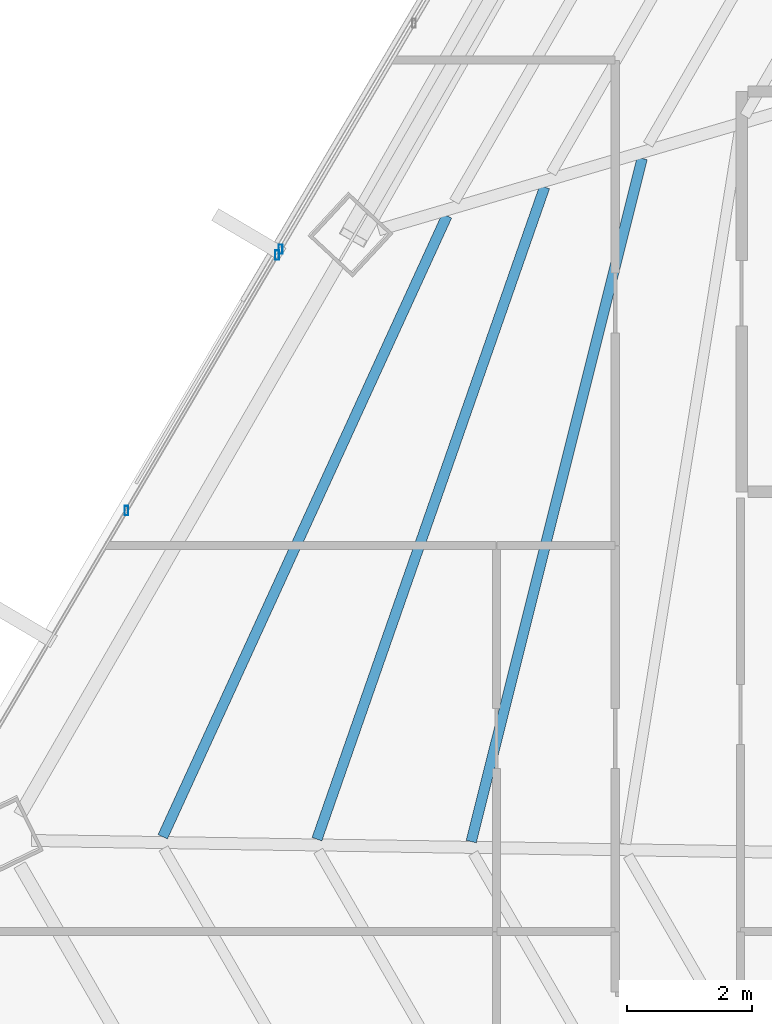
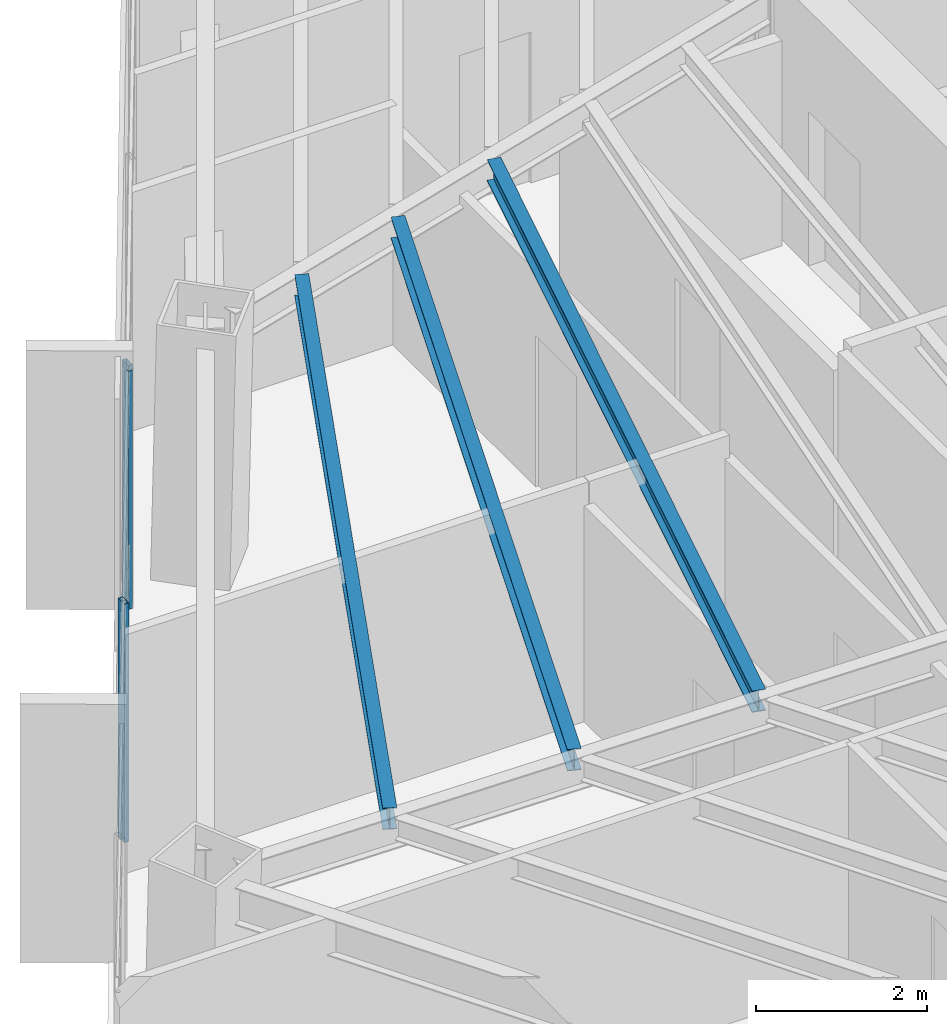
# One storey, part 11 of 40: 3 beams, 3 members, 2 elements without a shape of their own.
"""IFC4 building model written with IfcOpenShell, lengths in metres."""

from ifc_helpers import new_model, si_unit, direction, frame, origin, origin_2d, place, context, subcontext, project, spatial, hollow_rectangle, i_section, extrude, source, transform, mapped, material, material_profile, profile_set, type_object, type_shapes, element, aggregate, save


model = new_model("IFC4")

# Units and contexts
model_context = context("Model", 3, precision=1e-05, world=origin(), true_north=direction((0.0, 1.0)))
body_context = subcontext(model_context, "Body", "Model", "MODEL_VIEW")
ifc_project = project(units=[si_unit("LENGTHUNIT", "METRE"), si_unit("AREAUNIT", "SQUARE_METRE"), si_unit("VOLUMEUNIT", "CUBIC_METRE"), si_unit("PLANEANGLEUNIT", "RADIAN"), si_unit("MASSUNIT", "GRAM", prefix="KILO")], contexts=[model_context])

# Site, building, storey
site_placement = place(None, origin())
site = spatial("IfcSite", under=ifc_project, at=site_placement, CompositionType="ELEMENT")
building_placement = place(site_placement, origin())
building = spatial("IfcBuilding", under=site, at=building_placement, Name="Caelisora Broadcast Tower", CompositionType="ELEMENT")
storey_placement = place(building_placement, frame((0.0, 0.0, 176.75)))
storey = spatial("IfcBuildingStorey", under=building, at=storey_placement, Name="L46", CompositionType="ELEMENT", Elevation=176.75)

# Beams
ifc_material_1 = material(Name="Steel Grade 350 (AS/NZS 3679.1)", Category="steel")
ifc_material_profile_1 = material_profile(ifc_material_1, i_section(OverallWidth=0.166015625, OverallDepth=0.30712890625, WebThickness=0.006591796875, FlangeThickness=0.01171875, at=origin_2d()), Name="Steel Grade 350 (AS/NZS 3679.1)")
ifc_profile_set_1 = profile_set([ifc_material_profile_1], Name="Steel Grade 350 (AS/NZS 3679.1)")
beam_type = type_object("IfcBeamType", Name="SB03", PredefinedType="JOIST", material=ifc_profile_set_1)
shared_shape_1 = source(origin(), body_context, "Body", "SweptSolid", [
    extrude(i_section(OverallWidth=0.166015625, OverallDepth=0.30712890625, WebThickness=0.006591796875, FlangeThickness=0.01171875, at=origin_2d()), origin(), (0.0, 0.0, 1.0), 11.258056640625),
])
beam_1_placement = place(storey_placement, frame((25.82958984375, 28.52978515625, 3.246337890625), z_axis=(-0.242709108727, -0.970099112741, 0.0), x_axis=(0.970099112741, -0.242709108727, 0.0)))
element("IfcBeam", 1, at=beam_1_placement, inside=storey, type_object=beam_type, Name="L46 beam SB03", PredefinedType="JOIST", context=body_context, shape_type="MappedRepresentation", body=[
    mapped(shared_shape_1, transform((0.0, 0.0, 0.0), scale=1.0)),
])
shared_shape_2 = source(origin(), body_context, "Body", "SweptSolid", [
    extrude(i_section(OverallWidth=0.166015625, OverallDepth=0.30712890625, WebThickness=0.006591796875, FlangeThickness=0.01171875, at=origin_2d()), origin(), (0.0, 0.0, 1.0), 11.040771484375),
])
beam_2_placement = place(storey_placement, frame((24.27001953125, 28.071044921875, 3.246337890625), z_axis=(-0.329589916153, -0.944124190544, 0.0), x_axis=(0.944124190544, -0.329589916153, 0.0)))
element("IfcBeam", 2, at=beam_2_placement, inside=storey, type_object=beam_type, Name="L46 beam SB03", PredefinedType="JOIST", context=body_context, shape_type="MappedRepresentation", body=[
    mapped(shared_shape_2, transform((0.0, 0.0, 0.0), scale=1.0)),
])
shared_shape_3 = source(origin(), body_context, "Body", "SweptSolid", [
    extrude(i_section(OverallWidth=0.166015625, OverallDepth=0.30712890625, WebThickness=0.006591796875, FlangeThickness=0.01171875, at=origin_2d()), origin(), (0.0, 0.0, 1.0), 10.916015625),
])
type_shapes(beam_type, [shared_shape_1, shared_shape_2, shared_shape_3])
beam_3_placement = place(storey_placement, frame((22.70849609375, 27.611572265625, 3.246337890625), z_axis=(-0.416155610576, -0.909293411274, 0.0), x_axis=(0.909293411274, -0.416155610576, 0.0)))
element("IfcBeam", 3, at=beam_3_placement, inside=storey, type_object=beam_type, Name="L46 beam SB03", PredefinedType="JOIST", context=body_context, shape_type="MappedRepresentation", body=[
    mapped(shared_shape_3, transform((0.0, 0.0, 0.0), scale=1.0)),
])

# Curtain wall, members
ifc_material_2 = material(Name="Unitised Aluminium and Low-E Glass Curtain Wall", Category="glass")
curtain_wall_type_1 = type_object("IfcCurtainWallType", Name="CW-Z3", PredefinedType="NOTDEFINED", material=ifc_material_2)
curtain_wall_1_placement = place(storey_placement, origin())
curtain_wall_1 = element("IfcCurtainWall", 4, at=curtain_wall_1_placement, inside=storey, type_object=curtain_wall_type_1, Name="L46 curtain wall CW-Z3", PredefinedType="NOTDEFINED")
ifc_material_3 = material(Name="Aluminium 6063-T6 Anodised Terracotta Bronze", Category="aluminium")
ifc_material_profile_2 = material_profile(ifc_material_3, hollow_rectangle(XDim=0.06005859375, YDim=0.14990234375, WallThickness=0.00341796875, at=origin_2d()), Name="Aluminium 6063-T6 Anodised Terracotta Bronze")
ifc_profile_set_2 = profile_set([ifc_material_profile_2], Name="Aluminium 6063-T6 Anodised Terracotta Bronze")
member_type = type_object("IfcMemberType", Name="CWM-03", PredefinedType="MULLION", material=ifc_profile_set_2)
shared_shape_4 = source(origin(), body_context, "Body", "SweptSolid", [
    extrude(hollow_rectangle(XDim=0.06005859375, YDim=0.14990234375, WallThickness=0.00341796875, at=origin_2d()), origin(), (0.0, 0.0, 1.0), 3.39990234375),
])
type_shapes(member_type, [shared_shape_4])
member_1_placement = place(storey_placement, frame((17.584716796875, 22.898681640625, 0.0), z_axis=(0.0, 0.0, 1.0), x_axis=(1.0, 0.0, 0.0)))
member_1 = element("IfcMember", 5, at=member_1_placement, type_object=member_type, Name="L46-CW-B09 mullion #2", PredefinedType="MULLION", context=body_context, shape_type="MappedRepresentation", body=[
    mapped(shared_shape_4, transform((0.0, 0.0, 0.0), scale=1.0)),
])
member_2_placement = place(storey_placement, frame((19.994384765625, 26.9833984375, 0.0), z_axis=(0.0, 0.0, 1.0), x_axis=(1.0, 0.0, 0.0)))
member_2 = element("IfcMember", 6, at=member_2_placement, type_object=member_type, Name="L46-CW-B09 mullion #3", PredefinedType="MULLION", context=body_context, shape_type="MappedRepresentation", body=[
    mapped(shared_shape_4, transform((0.0, 0.0, 0.0), scale=1.0)),
])
aggregate(curtain_wall_1, [member_1, member_2])

# Curtain wall, member
ifc_material_4 = material(Name="Unitised Aluminium Insulated Shadow-Box Spandrel Curtain Wall", Category="aluminium")
curtain_wall_type_2 = type_object("IfcCurtainWallType", Name="CW-SP2", PredefinedType="NOTDEFINED", material=ifc_material_4)
curtain_wall_2_placement = place(storey_placement, origin())
curtain_wall_2 = element("IfcCurtainWall", 7, at=curtain_wall_2_placement, inside=storey, type_object=curtain_wall_type_2, Name="L46 curtain wall CW-SP2", PredefinedType="NOTDEFINED")
member_3_placement = place(storey_placement, frame((20.05029296875, 27.078125, 0.0), z_axis=(0.0, 0.0, 1.0), x_axis=(1.0, 0.0, 0.0)))
member_3 = element("IfcMember", 8, at=member_3_placement, type_object=member_type, Name="L46-CW-B10 mullion #0", PredefinedType="MULLION", context=body_context, shape_type="MappedRepresentation", body=[
    mapped(shared_shape_4, transform((0.0, 0.0, 0.0), scale=1.0)),
])
aggregate(curtain_wall_2, [member_3])

save(model, "model.ifc")
